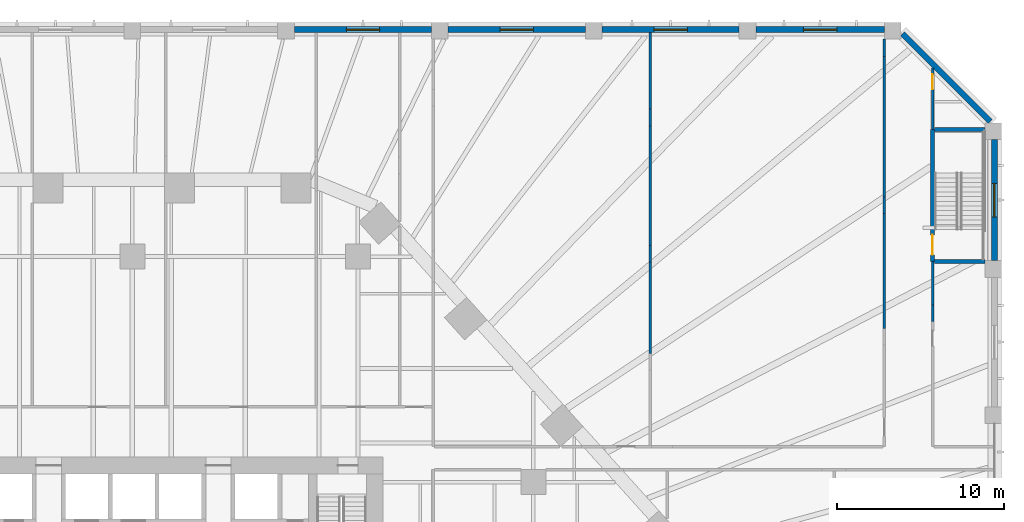
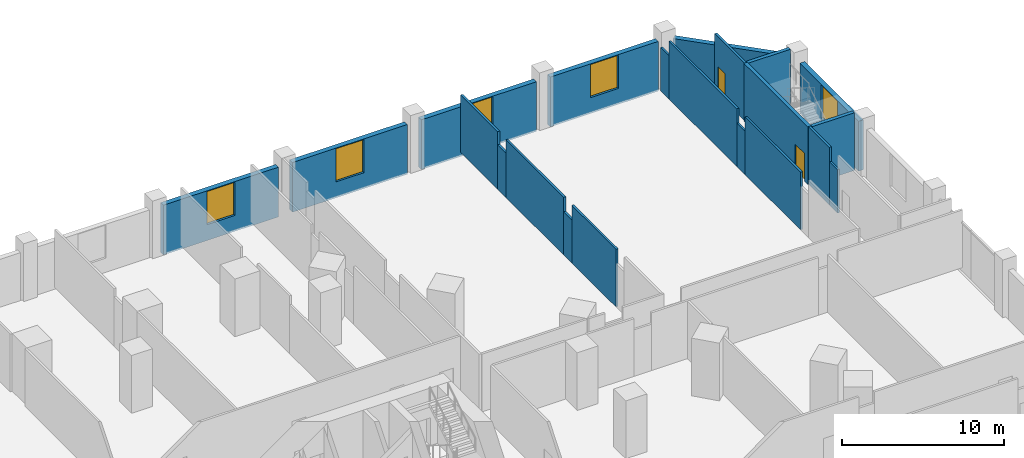
# One storey, part 22 of 33: 21 walls, 5 windows, 2 doors, 7 openings.
"""IFC4 building model written with IfcOpenShell, lengths in metres."""

from ifc_helpers import new_model, si_unit, direction, frame, frame_2d, origin, place, context, subcontext, project, spatial, rectangle, extrude, material, layer, layer_set, type_object, element, fill, save


model = new_model("IFC4")

# Units and contexts
model_context = context("Model", 3, precision=1e-05, world=origin(), true_north=direction((0.0, 1.0)))
body_context = subcontext(model_context, "Body", "Model", "MODEL_VIEW")
ifc_project = project(units=[si_unit("LENGTHUNIT", "METRE"), si_unit("AREAUNIT", "SQUARE_METRE"), si_unit("VOLUMEUNIT", "CUBIC_METRE"), si_unit("PLANEANGLEUNIT", "RADIAN"), si_unit("MASSUNIT", "GRAM", prefix="KILO")], contexts=[model_context])

# Site, building, storey
site_placement = place(None, origin())
site = spatial("IfcSite", under=ifc_project, at=site_placement, CompositionType="ELEMENT")
building_placement = place(site_placement, origin())
building = spatial("IfcBuilding", under=site, at=building_placement, Name="Isthmus Gate Tower", CompositionType="ELEMENT")
storey_placement = place(building_placement, frame((0.0, 0.0, 31.5)))
storey = spatial("IfcBuildingStorey", under=building, at=storey_placement, Name="L05", CompositionType="ELEMENT", Elevation=31.5)

# Walls
ifc_material_1 = material(Name="Fire-rated gypsum board on steel studs", Category="steel")
ifc_layer_1 = layer(ifc_material_1, 0.14990234375)
ifc_layer_set_1 = layer_set([ifc_layer_1], Name="Fire-rated partition 150 EI 60")
wall_type_1 = type_object("IfcWallType", Name="Fire-rated partition 150 EI 60", PredefinedType="PARTITIONING", material=ifc_layer_set_1)
wall_1_placement = place(storey_placement, frame((45.0, 22.69140625, 0.0), z_axis=(0.0, 0.0, 1.0), x_axis=(0.0, 1.0, 0.0)))
element("IfcWall", 1, at=wall_1_placement, inside=storey, type_object=wall_type_1, Name="Fire-rated partition", PredefinedType="PARTITIONING", context=body_context, shape_type="SweptSolid", body=[
    extrude(rectangle(XDim=6.876708984375, YDim=0.14990234375, at=frame_2d((3.4384765625, 0.0))), origin(), (0.0, 0.0, 1.0), 4.35009765625),
])
wall_2_placement = place(storey_placement, frame((45.0, 29.568115234375, 0.0), z_axis=(0.0, 0.0, 1.0), x_axis=(0.0, 1.0, 0.0)))
element("IfcWall", 2, at=wall_2_placement, inside=storey, type_object=wall_type_1, Name="Fire-rated partition", PredefinedType="PARTITIONING", context=body_context, shape_type="SweptSolid", body=[
    extrude(rectangle(XDim=1.0, YDim=0.14990234375, at=frame_2d((0.5, 0.0))), origin(), (0.0, 0.0, 1.0), 3.260986328125),
])
wall_3_placement = place(storey_placement, frame((45.0, 30.568115234375, 0.0), z_axis=(0.0, 0.0, 1.0), x_axis=(0.0, 1.0, 0.0)))
element("IfcWall", 3, at=wall_3_placement, inside=storey, type_object=wall_type_1, Name="Fire-rated partition", PredefinedType="PARTITIONING", context=body_context, shape_type="SweptSolid", body=[
    extrude(rectangle(XDim=8.395751953125, YDim=0.14990234375, at=frame_2d((4.19775390625, 0.0))), origin(), (0.0, 0.0, 1.0), 4.35009765625),
])
wall_4_placement = place(storey_placement, frame((45.0, 38.9638671875, 0.0), z_axis=(0.0, 0.0, 1.0), x_axis=(0.0, 1.0, 0.0)))
element("IfcWall", 4, at=wall_4_placement, inside=storey, type_object=wall_type_1, Name="Fire-rated partition", PredefinedType="PARTITIONING", context=body_context, shape_type="SweptSolid", body=[
    extrude(rectangle(XDim=1.0361328125, YDim=0.14990234375, at=frame_2d((0.51806640625, 0.0))), origin(), (0.0, 0.0, 1.0), 3.260986328125),
])
wall_5_placement = place(storey_placement, frame((47.875, 23.109375, 0.0), z_axis=(0.0, 0.0, 1.0), x_axis=(0.0, 1.0, 0.0)))
element("IfcWall", 5, at=wall_5_placement, inside=storey, type_object=wall_type_1, Name="Fire-rated partition", PredefinedType="PARTITIONING", context=body_context, shape_type="SweptSolid", body=[
    extrude(rectangle(XDim=1.0, YDim=0.14990234375, at=frame_2d((0.5, 0.0))), origin(), (0.0, 0.0, 1.0), 3.260986328125),
])
wall_6_placement = place(storey_placement, frame((47.875, 24.109375, 0.0), z_axis=(0.0, 0.0, 1.0), x_axis=(0.0, 1.0, 0.0)))
element("IfcWall", 6, at=wall_6_placement, inside=storey, type_object=wall_type_1, Name="Fire-rated partition", PredefinedType="PARTITIONING", context=body_context, shape_type="SweptSolid", body=[
    extrude(rectangle(XDim=2.590576171875, YDim=0.14990234375, at=frame_2d((1.29541015625, 0.0))), origin(), (0.0, 0.0, 1.0), 4.35009765625),
])

# Wall, opening, door
wall_7_placement = place(storey_placement, frame((47.875, 34.60009765625, 0.0), z_axis=(0.0, 0.0, 1.0), x_axis=(0.0, 1.0, 0.0)))
wall_7 = element("IfcWall", 7, at=wall_7_placement, inside=storey, type_object=wall_type_1, Name="Fire-rated partition", PredefinedType="PARTITIONING", context=body_context, shape_type="SweptSolid", body=[
    extrude(rectangle(XDim=3.676513671875, YDim=0.14990234375, at=frame_2d((1.83837890625, 0.0))), origin(), (0.0, 0.0, 1.0), 4.35009765625),
])
opening_1_placement = place(wall_7_placement, frame((2.39990234375, 0.0, 0.0)))
opening_1 = element("IfcOpeningElement", 8, at=opening_1_placement, cuts=wall_7, Name="Opening DP05-06", PredefinedType="OPENING", context=body_context, shape_type="SweptSolid", body=[
    extrude(rectangle(XDim=0.89990234375, YDim=2.10009765625, at=frame_2d((0.449951171875, 1.050048828125))), frame((0.0, 0.0849609375, 0.0), z_axis=(0.0, -1.0, 0.0), x_axis=(1.0, 0.0, 0.0)), (0.0, 0.0, 1.0), 0.169921875),
])
ifc_material_2 = material(Name="Steel fire door with intumescent seals", Category="steel")
door_type_1 = type_object("IfcDoorType", Name="Fire door 900 x 2100", OperationType="SINGLE_SWING_LEFT", PredefinedType="DOOR", material=ifc_material_2)
door_1_placement = place(opening_1_placement, origin())
door_1 = element("IfcDoor", 9, at=door_1_placement, inside=storey, type_object=door_type_1, Name="Door DP05-06", OperationType="SINGLE_SWING_LEFT", OverallHeight=2.10009765625, OverallWidth=0.89990234375, PredefinedType="DOOR", context=body_context, shape_type="SweptSolid", body=[
    extrude(rectangle(XDim=0.89990234375, YDim=2.10009765625, at=frame_2d((0.449951171875, 1.050048828125))), frame((0.0, 0.02490234375, 0.0), z_axis=(0.0, -1.0, 0.0), x_axis=(1.0, 0.0, 0.0)), (0.0, 0.0, 1.0), 0.050048828125),
])
fill(opening_1, door_1)

# Wall, opening, window
ifc_material_3 = material(Name="Precast concrete C40/50, limestone-faced", Category="masonry")
ifc_layer_2 = layer(ifc_material_3, 0.35009765625)
ifc_layer_set_2 = layer_set([ifc_layer_2], Name="PODIUM CLADDING WALL 350")
wall_type_2 = type_object("IfcWallType", Name="PODIUM CLADDING WALL 350", PredefinedType="SOLIDWALL", material=ifc_layer_set_2)
wall_8_placement = place(storey_placement, frame((51.574951171875, 26.75, -0.300048828125), z_axis=(0.0, 0.0, 1.0), x_axis=(0.0, 1.0, 0.0)))
wall_8 = element("IfcWall", 10, at=wall_8_placement, inside=storey, type_object=wall_type_2, Name="PODIUM WALL", PredefinedType="SOLIDWALL", context=body_context, shape_type="SweptSolid", body=[
    extrude(rectangle(XDim=7.25, YDim=0.35009765625, at=frame_2d((3.625, 0.0))), origin(), (0.0, 0.0, 1.0), 3.75),
])
opening_2_placement = place(wall_8_placement, frame((2.625, 0.0, 1.199951171875)))
opening_2 = element("IfcOpeningElement", 11, at=opening_2_placement, cuts=wall_8, Name="Opening W105", PredefinedType="OPENING", context=body_context, shape_type="SweptSolid", body=[
    extrude(rectangle(XDim=2.0, YDim=2.5, at=frame_2d((1.0, 1.25))), frame((0.0, 0.18505859375, 0.0), z_axis=(0.0, -1.0, 0.0), x_axis=(1.0, 0.0, 0.0)), (0.0, 0.0, 1.0), 0.3701171875),
])
ifc_material_4 = material(Name="Aluminium, pale champagne anodised, laminated glass", Category="aluminium")
window_type = type_object("IfcWindowType", Name="PODIUM SLOT WINDOW 2000 X 2500", PartitioningType="SINGLE_PANEL", PredefinedType="WINDOW", material=ifc_material_4)
window_1_placement = place(opening_2_placement, origin())
window_1 = element("IfcWindow", 12, at=window_1_placement, inside=storey, type_object=window_type, Name="SLOT WINDOW", OverallHeight=2.5, OverallWidth=2.0, PartitioningType="SINGLE_PANEL", PredefinedType="WINDOW", context=body_context, shape_type="SweptSolid", body=[
    extrude(rectangle(XDim=2.0, YDim=2.5, at=frame_2d((1.0, 1.25))), frame((0.0, 0.030029296875, 0.0), z_axis=(0.0, -1.0, 0.0), x_axis=(1.0, 0.0, 0.0)), (0.0, 0.0, 1.0), 0.06005859375),
])
fill(opening_2, window_1)

# Wall
wall_9_placement = place(storey_placement, frame((51.327392578125, 35.071533203125, -0.300048828125), z_axis=(0.0, 0.0, 1.0), x_axis=(-0.707106781187, 0.707106781187, 0.0)))
element("IfcWall", 13, at=wall_9_placement, inside=storey, type_object=wall_type_2, Name="PODIUM WALL", PredefinedType="SOLIDWALL", context=body_context, shape_type="SweptSolid", body=[
    extrude(rectangle(XDim=7.432861328125, YDim=0.35009765625, at=frame_2d((3.71630859375, 0.0))), origin(), (0.0, 0.0, 1.0), 3.75),
])

# Wall, opening, window
wall_10_placement = place(storey_placement, frame((45.0, 40.574951171875, -0.300048828125), z_axis=(0.0, 0.0, 1.0), x_axis=(-1.0, 0.0, 0.0)))
wall_10 = element("IfcWall", 14, at=wall_10_placement, inside=storey, type_object=wall_type_2, Name="PODIUM WALL", PredefinedType="SOLIDWALL", context=body_context, shape_type="SweptSolid", body=[
    extrude(rectangle(XDim=7.699951171875, YDim=0.35009765625, at=frame_2d((3.85009765625, 0.0))), origin(), (0.0, 0.0, 1.0), 3.75),
])
opening_3_placement = place(wall_10_placement, frame((2.85009765625, 0.0, 1.199951171875)))
opening_3 = element("IfcOpeningElement", 15, at=opening_3_placement, cuts=wall_10, Name="Opening W106", PredefinedType="OPENING", context=body_context, shape_type="SweptSolid", body=[
    extrude(rectangle(XDim=2.0, YDim=2.5, at=frame_2d((1.0, 1.25))), frame((0.0, 0.18505859375, 0.0), z_axis=(0.0, -1.0, 0.0), x_axis=(1.0, 0.0, 0.0)), (0.0, 0.0, 1.0), 0.3701171875),
])
window_2_placement = place(opening_3_placement, origin())
window_2 = element("IfcWindow", 16, at=window_2_placement, inside=storey, type_object=window_type, Name="SLOT WINDOW", OverallHeight=2.5, OverallWidth=2.0, PartitioningType="SINGLE_PANEL", PredefinedType="WINDOW", context=body_context, shape_type="SweptSolid", body=[
    extrude(rectangle(XDim=2.0, YDim=2.5, at=frame_2d((1.0, 1.25))), frame((0.0, 0.030029296875, 0.0), z_axis=(0.0, -1.0, 0.0), x_axis=(1.0, 0.0, 0.0)), (0.0, 0.0, 1.0), 0.06005859375),
])
fill(opening_3, window_2)

wall_11_placement = place(storey_placement, frame((36.300048828125, 40.574951171875, -0.300048828125), z_axis=(0.0, 0.0, 1.0), x_axis=(-1.0, 0.0, 0.0)))
wall_11 = element("IfcWall", 17, at=wall_11_placement, inside=storey, type_object=wall_type_2, Name="PODIUM WALL", PredefinedType="SOLIDWALL", context=body_context, shape_type="SweptSolid", body=[
    extrude(rectangle(XDim=8.199951171875, YDim=0.35009765625, at=frame_2d((4.10009765625, 0.0))), origin(), (0.0, 0.0, 1.0), 3.75),
])
opening_4_placement = place(wall_11_placement, frame((3.10009765625, 0.0, 1.199951171875)))
opening_4 = element("IfcOpeningElement", 18, at=opening_4_placement, cuts=wall_11, Name="Opening W107", PredefinedType="OPENING", context=body_context, shape_type="SweptSolid", body=[
    extrude(rectangle(XDim=2.0, YDim=2.5, at=frame_2d((1.0, 1.25))), frame((0.0, 0.18505859375, 0.0), z_axis=(0.0, -1.0, 0.0), x_axis=(1.0, 0.0, 0.0)), (0.0, 0.0, 1.0), 0.3701171875),
])
window_3_placement = place(opening_4_placement, origin())
window_3 = element("IfcWindow", 19, at=window_3_placement, inside=storey, type_object=window_type, Name="SLOT WINDOW", OverallHeight=2.5, OverallWidth=2.0, PartitioningType="SINGLE_PANEL", PredefinedType="WINDOW", context=body_context, shape_type="SweptSolid", body=[
    extrude(rectangle(XDim=2.0, YDim=2.5, at=frame_2d((1.0, 1.25))), frame((0.0, 0.030029296875, 0.0), z_axis=(0.0, -1.0, 0.0), x_axis=(1.0, 0.0, 0.0)), (0.0, 0.0, 1.0), 0.06005859375),
])
fill(opening_4, window_3)

wall_12_placement = place(storey_placement, frame((27.10009765625, 40.574951171875, -0.300048828125), z_axis=(0.0, 0.0, 1.0), x_axis=(-1.0, 0.0, 0.0)))
wall_12 = element("IfcWall", 20, at=wall_12_placement, inside=storey, type_object=wall_type_2, Name="PODIUM WALL", PredefinedType="SOLIDWALL", context=body_context, shape_type="SweptSolid", body=[
    extrude(rectangle(XDim=8.2001953125, YDim=0.35009765625, at=frame_2d((4.10009765625, 0.0))), origin(), (0.0, 0.0, 1.0), 3.75),
])
opening_5_placement = place(wall_12_placement, frame((3.10009765625, 0.0, 1.199951171875)))
opening_5 = element("IfcOpeningElement", 21, at=opening_5_placement, cuts=wall_12, Name="Opening W108", PredefinedType="OPENING", context=body_context, shape_type="SweptSolid", body=[
    extrude(rectangle(XDim=2.0, YDim=2.5, at=frame_2d((1.0, 1.25))), frame((0.0, 0.18505859375, 0.0), z_axis=(0.0, -1.0, 0.0), x_axis=(1.0, 0.0, 0.0)), (0.0, 0.0, 1.0), 0.3701171875),
])
window_4_placement = place(opening_5_placement, origin())
window_4 = element("IfcWindow", 22, at=window_4_placement, inside=storey, type_object=window_type, Name="SLOT WINDOW", OverallHeight=2.5, OverallWidth=2.0, PartitioningType="SINGLE_PANEL", PredefinedType="WINDOW", context=body_context, shape_type="SweptSolid", body=[
    extrude(rectangle(XDim=2.0, YDim=2.5, at=frame_2d((1.0, 1.25))), frame((0.0, 0.030029296875, 0.0), z_axis=(0.0, -1.0, 0.0), x_axis=(1.0, 0.0, 0.0)), (0.0, 0.0, 1.0), 0.06005859375),
])
fill(opening_5, window_4)

wall_13_placement = place(storey_placement, frame((17.89990234375, 40.574951171875, -0.300048828125), z_axis=(0.0, 0.0, 1.0), x_axis=(-1.0, 0.0, 0.0)))
wall_13 = element("IfcWall", 23, at=wall_13_placement, inside=storey, type_object=wall_type_2, Name="PODIUM WALL", PredefinedType="SOLIDWALL", context=body_context, shape_type="SweptSolid", body=[
    extrude(rectangle(XDim=8.199951171875, YDim=0.35009765625, at=frame_2d((4.10009765625, 0.0))), origin(), (0.0, 0.0, 1.0), 3.75),
])
opening_6_placement = place(wall_13_placement, frame((3.10009765625, 0.0, 1.199951171875)))
opening_6 = element("IfcOpeningElement", 24, at=opening_6_placement, cuts=wall_13, Name="Opening W109", PredefinedType="OPENING", context=body_context, shape_type="SweptSolid", body=[
    extrude(rectangle(XDim=2.0, YDim=2.5, at=frame_2d((1.0, 1.25))), frame((0.0, 0.18505859375, 0.0), z_axis=(0.0, -1.0, 0.0), x_axis=(1.0, 0.0, 0.0)), (0.0, 0.0, 1.0), 0.3701171875),
])
window_5_placement = place(opening_6_placement, origin())
window_5 = element("IfcWindow", 25, at=window_5_placement, inside=storey, type_object=window_type, Name="SLOT WINDOW", OverallHeight=2.5, OverallWidth=2.0, PartitioningType="SINGLE_PANEL", PredefinedType="WINDOW", context=body_context, shape_type="SweptSolid", body=[
    extrude(rectangle(XDim=2.0, YDim=2.5, at=frame_2d((1.0, 1.25))), frame((0.0, 0.030029296875, 0.0), z_axis=(0.0, -1.0, 0.0), x_axis=(1.0, 0.0, 0.0)), (0.0, 0.0, 1.0), 0.06005859375),
])
fill(opening_6, window_5)

# Walls
ifc_material_5 = material(Name="Gypsum board on cold-formed steel studs", Category="steel")
ifc_layer_3 = layer(ifc_material_5, 0.14990234375)
ifc_layer_set_3 = layer_set([ifc_layer_3])
wall_type_3 = type_object("IfcWallType", Name="Partition 150 gypsum board on steel studs", PredefinedType="PARTITIONING", material=ifc_layer_set_3)
wall_14_placement = place(storey_placement, frame((30.97509765625, 21.19677734375, 0.0), z_axis=(0.0, 0.0, 1.0), x_axis=(0.0, 1.0, 0.0)))
element("IfcWall", 26, at=wall_14_placement, inside=storey, type_object=wall_type_3, Name="Partition", PredefinedType="PARTITIONING", context=body_context, shape_type="SweptSolid", body=[
    extrude(rectangle(XDim=5.467529296875, YDim=0.14990234375, at=frame_2d((2.73388671875, 0.0))), origin(), (0.0, 0.0, 1.0), 4.35009765625),
])
wall_15_placement = place(storey_placement, frame((30.97509765625, 26.664306640625, 0.0), z_axis=(0.0, 0.0, 1.0), x_axis=(0.0, 1.0, 0.0)))
element("IfcWall", 27, at=wall_15_placement, inside=storey, type_object=wall_type_3, Name="Partition", PredefinedType="PARTITIONING", context=body_context, shape_type="SweptSolid", body=[
    extrude(rectangle(XDim=1.0, YDim=0.14990234375, at=frame_2d((0.5, 0.0))), origin(), (0.0, 0.0, 1.0), 3.260986328125),
])
wall_16_placement = place(storey_placement, frame((30.97509765625, 27.664306640625, 0.0), z_axis=(0.0, 0.0, 1.0), x_axis=(0.0, 1.0, 0.0)))
element("IfcWall", 28, at=wall_16_placement, inside=storey, type_object=wall_type_3, Name="Partition", PredefinedType="PARTITIONING", context=body_context, shape_type="SweptSolid", body=[
    extrude(rectangle(XDim=7.156005859375, YDim=0.14990234375, at=frame_2d((3.578125, 0.0))), origin(), (0.0, 0.0, 1.0), 4.35009765625),
])
wall_17_placement = place(storey_placement, frame((30.97509765625, 34.8203125, 0.0), z_axis=(0.0, 0.0, 1.0), x_axis=(0.0, 1.0, 0.0)))
element("IfcWall", 29, at=wall_17_placement, inside=storey, type_object=wall_type_3, Name="Partition", PredefinedType="PARTITIONING", context=body_context, shape_type="SweptSolid", body=[
    extrude(rectangle(XDim=1.0, YDim=0.14990234375, at=frame_2d((0.5, 0.0))), origin(), (0.0, 0.0, 1.0), 3.368896484375),
])
wall_18_placement = place(storey_placement, frame((30.97509765625, 35.8203125, 0.0), z_axis=(0.0, 0.0, 1.0), x_axis=(0.0, 1.0, 0.0)))
element("IfcWall", 30, at=wall_18_placement, inside=storey, type_object=wall_type_3, Name="Partition", PredefinedType="PARTITIONING", context=body_context, shape_type="SweptSolid", body=[
    extrude(rectangle(XDim=4.57958984375, YDim=0.14990234375, at=frame_2d((2.289794921875, 0.0))), origin(), (0.0, 0.0, 1.0), 4.35009765625),
])
ifc_material_6 = material(Name="Concrete f'c 40 MPa", Category="concrete")
ifc_layer_4 = layer(ifc_material_6, 0.25)
ifc_layer_set_4 = layer_set([ifc_layer_4])
wall_type_4 = type_object("IfcWallType", Name="Stair shaft wall 250 reinforced concrete", PredefinedType="SHEAR", material=ifc_layer_set_4)
for number, where, z_axis, x_axis, name in (
    (31, (48.0, 26.699951171875, 0.0), (0.0, 0.0, 1.0), (1.0, 0.0, 0.0), "Stair shaft wall"),
    (32, (48.0, 34.60009765625, 0.0), (0.0, 0.0, 1.0), (1.0, 0.0, 0.0), "Stair shaft wall"),
):
    element("IfcWall", number, at=place(storey_placement, frame(where, z_axis=z_axis, x_axis=x_axis)), inside=storey, type_object=wall_type_4, Name=name, PredefinedType="SHEAR", context=body_context, shape_type="SweptSolid", body=[
        extrude(rectangle(XDim=3.0, YDim=0.25, at=frame_2d((1.5, 0.0))), origin(), (0.0, 0.0, 1.0), 4.35009765625),
    ])

# Wall, opening, door
wall_19_placement = place(storey_placement, frame((47.875, 26.699951171875, 0.0), z_axis=(0.0, 0.0, 1.0), x_axis=(0.0, 1.0, 0.0)))
wall_19 = element("IfcWall", 33, at=wall_19_placement, inside=storey, type_object=wall_type_4, Name="Stair shaft wall", PredefinedType="SHEAR", context=body_context, shape_type="SweptSolid", body=[
    extrude(rectangle(XDim=7.900146484375, YDim=0.25, at=frame_2d((3.9501953125, 0.0))), origin(), (0.0, 0.0, 1.0), 4.35009765625),
])
opening_7_placement = place(wall_19_placement, frame((0.39990234375, 0.0, 0.0)))
opening_7 = element("IfcOpeningElement", 34, at=opening_7_placement, cuts=wall_19, Name="Opening DP05-04", PredefinedType="OPENING", context=body_context, shape_type="SweptSolid", body=[
    extrude(rectangle(XDim=1.199951171875, YDim=2.10009765625, at=frame_2d((0.60009765625, 1.050048828125))), frame((0.0, 0.135009765625, 0.0), z_axis=(0.0, -1.0, 0.0), x_axis=(1.0, 0.0, 0.0)), (0.0, 0.0, 1.0), 0.27001953125),
])
ifc_material_7 = material(Name="Steel fire door with intumescent seals", Category="steel")
door_type_2 = type_object("IfcDoorType", Name="Fire door 1200 x 2100", OperationType="SINGLE_SWING_LEFT", PredefinedType="DOOR", material=ifc_material_7)
door_2_placement = place(opening_7_placement, origin())
door_2 = element("IfcDoor", 35, at=door_2_placement, inside=storey, type_object=door_type_2, Name="Door DP05-04", OperationType="SINGLE_SWING_LEFT", OverallHeight=2.10009765625, OverallWidth=1.199951171875, PredefinedType="DOOR", context=body_context, shape_type="SweptSolid", body=[
    extrude(rectangle(XDim=1.199951171875, YDim=2.10009765625, at=frame_2d((0.60009765625, 1.050048828125))), frame((0.0, 0.02490234375, 0.0), z_axis=(0.0, -1.0, 0.0), x_axis=(1.0, 0.0, 0.0)), (0.0, 0.0, 1.0), 0.050048828125),
])
fill(opening_7, door_2)

save(model, "model.ifc")
